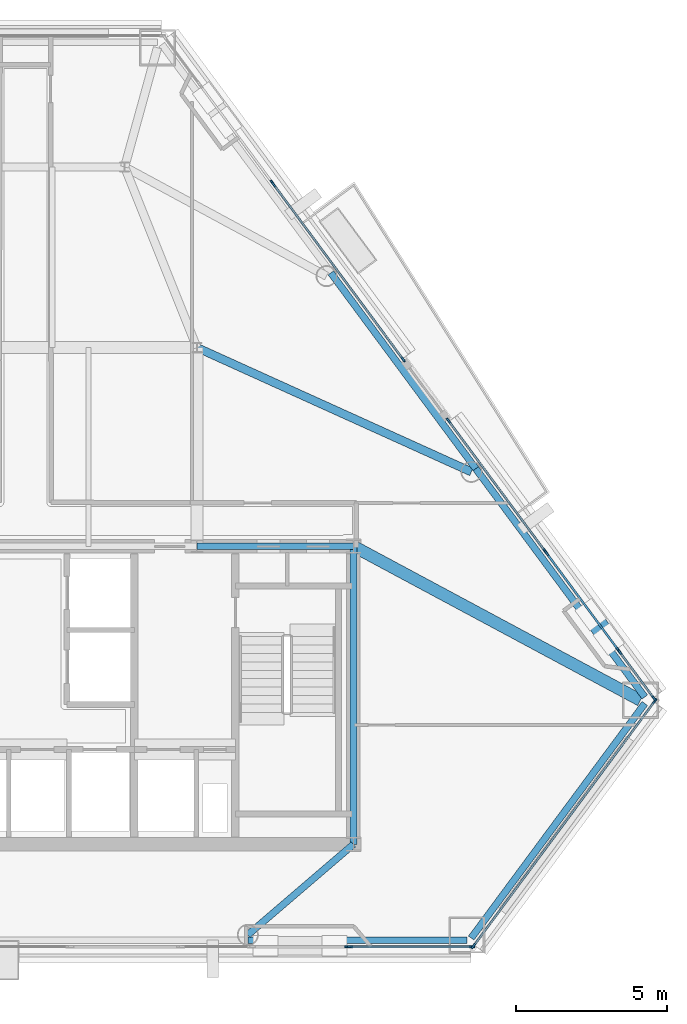
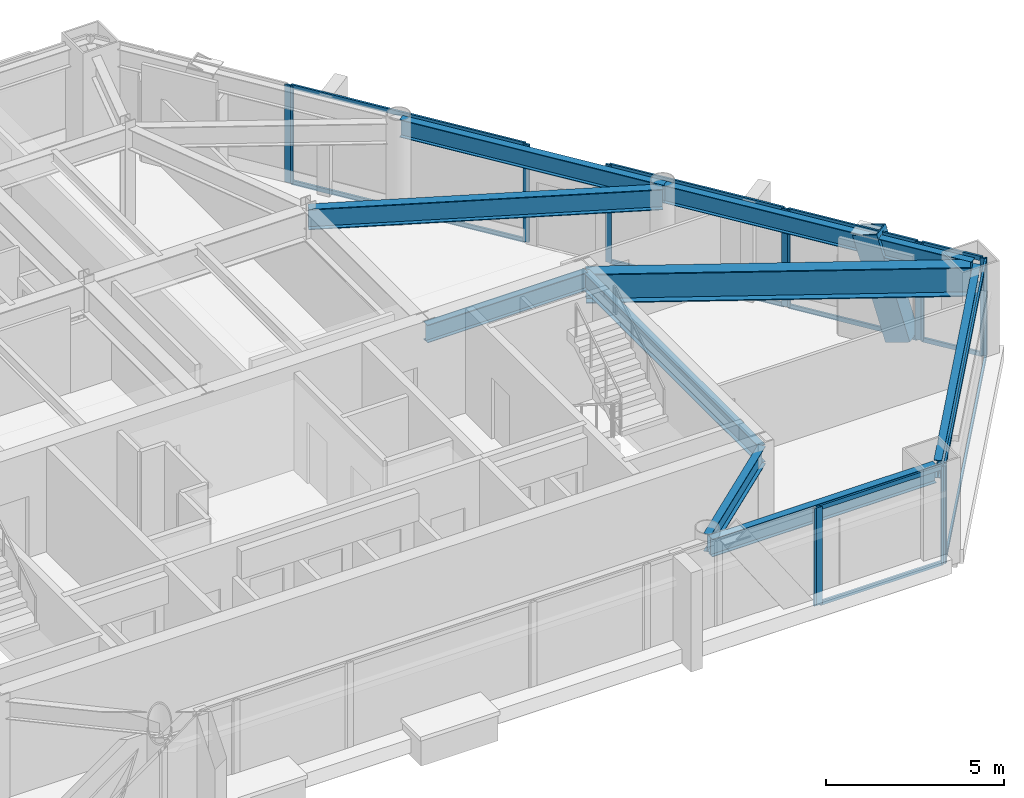
# One storey, part 6 of 13: 27 members, 9 beams, 8 elements without a shape of their own.
"""IFC4 building model written with IfcOpenShell, lengths in metres."""

from ifc_helpers import new_model, si_unit, direction, frame, origin, origin_2d, place, context, subcontext, project, spatial, rectangle, hollow_rectangle, i_section, extrude, material, layer, layer_set, material_profile, profile_set, type_object, element, aggregate, save


model = new_model("IFC4")

# Units and contexts
model_context = context("Model", 3, precision=1e-05, world=origin(), true_north=direction((0.0, 1.0)))
body_context = subcontext(model_context, "Body", "Model", "MODEL_VIEW")
ifc_project = project(units=[si_unit("LENGTHUNIT", "METRE"), si_unit("AREAUNIT", "SQUARE_METRE"), si_unit("VOLUMEUNIT", "CUBIC_METRE"), si_unit("PLANEANGLEUNIT", "RADIAN"), si_unit("MASSUNIT", "GRAM", prefix="KILO")], contexts=[model_context])

# Site, building, storey
site_placement = place(None, origin())
site = spatial("IfcSite", under=ifc_project, at=site_placement, CompositionType="ELEMENT")
building_placement = place(site_placement, origin())
building = spatial("IfcBuilding", under=site, at=building_placement, Name="Talgorran Terracotta Tower", CompositionType="ELEMENT")
storey_placement = place(building_placement, frame((0.0, 0.0, 99.60009765625)))
storey = spatial("IfcBuildingStorey", under=building, at=storey_placement, Name="L25", CompositionType="ELEMENT", Elevation=99.60009765625)

# Beams
ifc_material_1 = material(Name="Steel Grade 350 (350L0)", Category="steel")
ifc_material_profile_1 = material_profile(ifc_material_1, i_section(OverallWidth=0.39990234375, OverallDepth=1.0, WebThickness=0.01611328125, FlangeThickness=0.031005859375, at=origin_2d()), Name="1000WB296")
ifc_profile_set_1 = profile_set([ifc_material_profile_1], Name="Steel Grade 350 (350L0)")
beam_type_1 = type_object("IfcBeamType", Name="BM_1000WB296", PredefinedType="BEAM", material=ifc_profile_set_1)
beam_1_placement = place(storey_placement, frame((12.39990234375, -4.199951171875, 2.849853515625), z_axis=(0.88117219048, -0.472795485093, 0.0), x_axis=(0.472795485093, 0.88117219048, 0.0)))
element("IfcBeam", 1, at=beam_1_placement, inside=storey, type_object=beam_type_1, Name="L25 Floor Girder G18", PredefinedType="BEAM", context=body_context, shape_type="SweptSolid", body=[
    extrude(i_section(OverallWidth=0.39990234375, OverallDepth=1.0, WebThickness=0.01611328125, FlangeThickness=0.031005859375, at=origin_2d()), origin(), (0.0, 0.0, 1.0), 10.820068359375),
])
ifc_material_2 = material(Name="Steel S355 (300PLUS)", Category="steel")
ifc_material_profile_2 = material_profile(ifc_material_2, i_section(OverallWidth=0.27490234375, OverallDepth=0.7080078125, WebThickness=0.011962890625, FlangeThickness=0.02490234375, at=origin_2d()), Name="700WB173")
ifc_profile_set_2 = profile_set([ifc_material_profile_2], Name="Steel S355 (300PLUS)")
beam_type_2 = type_object("IfcBeamType", Name="BM_700WB173", PredefinedType="BEAM", material=ifc_profile_set_2)
beam_2_placement = place(storey_placement, frame((7.199951171875, 2.39990234375, 2.995849609375), z_axis=(0.910987725051, -0.412433467126, 0.0), x_axis=(0.412433467126, 0.910987725051, 0.0)))
element("IfcBeam", 2, at=beam_2_placement, inside=storey, type_object=beam_type_2, Name="L25 Floor Girder G07", PredefinedType="BEAM", context=body_context, shape_type="SweptSolid", body=[
    extrude(i_section(OverallWidth=0.27490234375, OverallDepth=0.7080078125, WebThickness=0.011962890625, FlangeThickness=0.02490234375, at=origin_2d()), origin(), (0.0, 0.0, 1.0), 10.010009765625),
])
ifc_material_profile_3 = material_profile(ifc_material_2, i_section(OverallWidth=0.22900390625, OverallDepth=0.611572265625, WebThickness=0.011962890625, FlangeThickness=0.01953125, at=origin_2d()), Name="610UB125")
ifc_profile_set_3 = profile_set([ifc_material_profile_3], Name="Steel S355 (300PLUS)")
beam_type_3 = type_object("IfcBeamType", Name="BM_SP_610UB125", PredefinedType="SPANDREL", material=ifc_profile_set_3)
beam_3_placement = place(storey_placement, frame((8.891845703125, -17.287841796875, 3.044189453125), z_axis=(1.0, 0.0, 0.0), x_axis=(0.0, 1.0, 0.0)))
element("IfcBeam", 3, at=beam_3_placement, inside=storey, type_object=beam_type_3, Name="L25 Perimeter Spandrel Beam FC2-MC3", PredefinedType="SPANDREL", context=body_context, shape_type="SweptSolid", body=[
    extrude(i_section(OverallWidth=0.22900390625, OverallDepth=0.611572265625, WebThickness=0.011962890625, FlangeThickness=0.01953125, at=origin_2d()), origin(), (0.0, 0.0, 1.0), 7.275146484375),
])
beam_4_placement = place(storey_placement, frame((16.311767578125, -17.21484375, 3.044189453125), z_axis=(0.594914928608, 0.803788671057, 0.0), x_axis=(-0.803788671057, 0.594914928608, 0.0)))
element("IfcBeam", 4, at=beam_4_placement, inside=storey, type_object=beam_type_3, Name="L25 Perimeter Spandrel Beam MC3-MC4", PredefinedType="SPANDREL", context=body_context, shape_type="SweptSolid", body=[
    extrude(i_section(OverallWidth=0.22900390625, OverallDepth=0.611572265625, WebThickness=0.011962890625, FlangeThickness=0.01953125, at=origin_2d()), origin(), (0.0, 0.0, 1.0), 9.6943359375),
])
beam_5_placement = place(storey_placement, frame((22.0791015625, -9.20849609375, 3.044189453125), z_axis=(-0.594926898508, 0.803779811535, 0.0), x_axis=(-0.803779811535, -0.594926898508, 0.0)))
element("IfcBeam", 5, at=beam_5_placement, inside=storey, type_object=beam_type_3, Name="L25 Perimeter Spandrel Beam MC4-FC3", PredefinedType="SPANDREL", context=body_context, shape_type="SweptSolid", body=[
    extrude(i_section(OverallWidth=0.22900390625, OverallDepth=0.611572265625, WebThickness=0.011962890625, FlangeThickness=0.01953125, at=origin_2d()), origin(), (0.0, 0.0, 1.0), 9.439453125),
])
beam_6_placement = place(storey_placement, frame((16.46337890625, -1.621337890625, 3.044189453125), z_axis=(-0.594899157913, 0.803800343316, 0.0), x_axis=(-0.803800343316, -0.594899157913, 0.0)))
element("IfcBeam", 6, at=beam_6_placement, inside=storey, type_object=beam_type_3, Name="L25 Perimeter Spandrel Beam FC3-FC4", PredefinedType="SPANDREL", context=body_context, shape_type="SweptSolid", body=[
    extrude(i_section(OverallWidth=0.22900390625, OverallDepth=0.611572265625, WebThickness=0.011962890625, FlangeThickness=0.01953125, at=origin_2d()), origin(), (0.0, 0.0, 1.0), 8.0908203125),
])
beam_7_placement = place(storey_placement, frame((12.39990234375, -14.10009765625, 3.044189453125), z_axis=(-0.759159629556, -0.650904491345, 0.0), x_axis=(0.650904491345, -0.759159629556, 0.0)))
element("IfcBeam", 7, at=beam_7_placement, inside=storey, type_object=beam_type_3, Name="L25 South-East Core Tie Beam", PredefinedType="SPANDREL", context=body_context, shape_type="SweptSolid", body=[
    extrude(i_section(OverallWidth=0.22900390625, OverallDepth=0.611572265625, WebThickness=0.011962890625, FlangeThickness=0.01953125, at=origin_2d()), origin(), (0.0, 0.0, 1.0), 4.62109375),
])
beam_8_placement = place(storey_placement, frame((12.39990234375, -14.10009765625, 3.044189453125), z_axis=(0.0, 1.0, 0.0), x_axis=(-1.0, 0.0, 0.0)))
element("IfcBeam", 8, at=beam_8_placement, inside=storey, type_object=beam_type_3, Name="L25 Core Frame Beam CFE", PredefinedType="SPANDREL", context=body_context, shape_type="SweptSolid", body=[
    extrude(i_section(OverallWidth=0.22900390625, OverallDepth=0.611572265625, WebThickness=0.011962890625, FlangeThickness=0.01953125, at=origin_2d()), origin(), (0.0, 0.0, 1.0), 9.900146484375),
])
beam_9_placement = place(storey_placement, frame((7.199951171875, -4.199951171875, 3.044189453125), z_axis=(1.0, 0.0, 0.0), x_axis=(0.0, 1.0, 0.0)))
element("IfcBeam", 9, at=beam_9_placement, inside=storey, type_object=beam_type_3, Name="L25 Core Frame Beam CFN4", PredefinedType="SPANDREL", context=body_context, shape_type="SweptSolid", body=[
    extrude(i_section(OverallWidth=0.22900390625, OverallDepth=0.611572265625, WebThickness=0.011962890625, FlangeThickness=0.01953125, at=origin_2d()), origin(), (0.0, 0.0, 1.0), 5.199951171875),
])

# Member
ifc_material_profile_4 = material_profile(ifc_material_1, hollow_rectangle(XDim=0.6201171875, YDim=0.780029296875, WallThickness=0.0419921875, at=origin_2d()), Name="WBOX780X620X42")
ifc_profile_set_4 = profile_set([ifc_material_profile_4], Name="Steel Grade 350 (350L0)")
member_type_1 = type_object("IfcMemberType", Name="MB_MEGA_780", PredefinedType="BRACE", material=ifc_profile_set_4)
member_1_placement = place(storey_placement, frame((20.881591796875, -7.2880859375, -0.025146484375), z_axis=(-0.170087742889, 0.229811108919, 0.958257279616), x_axis=(-0.803795867717, -0.594905205089, 0.0)))
element("IfcMember", 10, at=member_1_placement, inside=storey, type_object=member_type_1, Name="L25 Exterior Face Mega-Brace MB-2 (NEL)", PredefinedType="BRACE", context=body_context, shape_type="SweptSolid", body=[
    extrude(hollow_rectangle(XDim=0.6201171875, YDim=0.780029296875, WallThickness=0.0419921875, at=origin_2d()), origin(), (0.0, 0.0, 1.0), 3.54833984375),
])

# Curtain wall, member
ifc_material_3 = material(Name="Unitised Low-E Double Glazing", Category="glass")
ifc_layer = layer(ifc_material_3, 0.199951171875, Name="CW_SYS2_RES_LOW")
ifc_layer_set = layer_set([ifc_layer], Name="Unitised Low-E Double Glazing")
curtain_wall_type = type_object("IfcCurtainWallType", Name="CW_SYS2_RES_LOW", PredefinedType="NOTDEFINED", material=ifc_layer_set)
curtain_wall_1_placement = place(storey_placement, origin())
curtain_wall_1 = element("IfcCurtainWall", 11, at=curtain_wall_1_placement, inside=storey, type_object=curtain_wall_type, Name="CW-L25-F1H", PredefinedType="NOTDEFINED")
ifc_material_4 = material(Name="Architectural Aluminium 6063-T6", Category="aluminium")
ifc_material_profile_5 = material_profile(ifc_material_4, rectangle(XDim=0.06494140625, YDim=0.18505859375, at=origin_2d()), Name="CWM65X185")
ifc_profile_set_5 = profile_set([ifc_material_profile_5], Name="Architectural Aluminium 6063-T6")
member_type_2 = type_object("IfcMemberType", Name="MUL_65X185", PredefinedType="MULLION", material=ifc_profile_set_5)
member_2_placement = place(storey_placement, frame((12.206787109375, -17.5078125, 0.0), z_axis=(0.0, 0.0, 1.0), x_axis=(0.0, 1.0, 0.0)))
member_2 = element("IfcMember", 12, at=member_2_placement, type_object=member_type_2, Name="CW-L25-1H mullion 2", PredefinedType="MULLION", context=body_context, shape_type="SweptSolid", body=[
    extrude(rectangle(XDim=0.06494140625, YDim=0.18505859375, at=origin_2d()), origin(), (0.0, 0.0, 1.0), 3.349853515625),
])
aggregate(curtain_wall_1, [member_2])

# Curtain wall, members
curtain_wall_2_placement = place(storey_placement, origin())
curtain_wall_2 = element("IfcCurtainWall", 13, at=curtain_wall_2_placement, inside=storey, type_object=curtain_wall_type, Name="CW-L25-F1I", PredefinedType="NOTDEFINED")
member_3_placement = place(storey_placement, frame((12.281982421875, -17.5078125, 0.0), z_axis=(0.0, 0.0, 1.0), x_axis=(0.0, 1.0, 0.0)))
member_3 = element("IfcMember", 14, at=member_3_placement, type_object=member_type_2, Name="CW-L25-1I mullion 1", PredefinedType="MULLION", context=body_context, shape_type="SweptSolid", body=[
    extrude(rectangle(XDim=0.06494140625, YDim=0.18505859375, at=origin_2d()), origin(), (0.0, 0.0, 1.0), 3.349853515625),
])
member_4_placement = place(storey_placement, frame((16.336181640625, -17.5078125, 0.0), z_axis=(0.0, 0.0, 1.0), x_axis=(0.0, 1.0, 0.0)))
member_4 = element("IfcMember", 15, at=member_4_placement, type_object=member_type_2, Name="CW-L25-1I mullion 2", PredefinedType="MULLION", context=body_context, shape_type="SweptSolid", body=[
    extrude(rectangle(XDim=0.06494140625, YDim=0.18505859375, at=origin_2d()), origin(), (0.0, 0.0, 1.0), 3.349853515625),
])

curtain_wall_3_placement = place(storey_placement, origin())
curtain_wall_3 = element("IfcCurtainWall", 16, at=curtain_wall_3_placement, inside=storey, type_object=curtain_wall_type, Name="CW-L25-F2", PredefinedType="NOTDEFINED")
member_5_placement = place(storey_placement, frame((16.387939453125, -17.481689453125, 0.0), z_axis=(0.0, 0.0, 1.0), x_axis=(-0.803791602963, 0.594910967294, 0.0)))
member_5 = element("IfcMember", 17, at=member_5_placement, type_object=member_type_2, Name="CW-L25-2 mullion 1", PredefinedType="MULLION", context=body_context, shape_type="SweptSolid", body=[
    extrude(rectangle(XDim=0.06494140625, YDim=0.18505859375, at=origin_2d()), origin(), (0.0, 0.0, 1.0), 3.349853515625),
])
member_6_placement = place(storey_placement, frame((22.41259765625, -9.341796875, 0.0), z_axis=(0.0, 0.0, 1.0), x_axis=(-0.803791602963, 0.594910967294, 0.0)))
member_6 = element("IfcMember", 18, at=member_6_placement, type_object=member_type_2, Name="CW-L25-2 mullion 2", PredefinedType="MULLION", context=body_context, shape_type="SweptSolid", body=[
    extrude(rectangle(XDim=0.06494140625, YDim=0.18505859375, at=origin_2d()), origin(), (0.0, 0.0, 1.0), 3.349853515625),
])

curtain_wall_4_placement = place(storey_placement, origin())
curtain_wall_4 = element("IfcCurtainWall", 19, at=curtain_wall_4_placement, inside=storey, type_object=curtain_wall_type, Name="CW-L25-F40", PredefinedType="NOTDEFINED")
member_7_placement = place(storey_placement, frame((22.388671875, -9.25732421875, 0.0), z_axis=(0.0, 0.0, 1.0), x_axis=(-0.803795607852, -0.5949055562, 0.0)))
member_7 = element("IfcMember", 20, at=member_7_placement, type_object=member_type_2, Name="CW-L25-40 mullion 1", PredefinedType="MULLION", context=body_context, shape_type="SweptSolid", body=[
    extrude(rectangle(XDim=0.06494140625, YDim=0.18505859375, at=origin_2d()), origin(), (0.0, 0.0, 1.0), 3.349853515625),
])
member_8_placement = place(storey_placement, frame((21.24755859375, -7.71533203125, 0.0), z_axis=(0.0, 0.0, 1.0), x_axis=(-0.803795607852, -0.5949055562, 0.0)))
member_8 = element("IfcMember", 21, at=member_8_placement, type_object=member_type_2, Name="CW-L25-40 mullion 2", PredefinedType="MULLION", context=body_context, shape_type="SweptSolid", body=[
    extrude(rectangle(XDim=0.06494140625, YDim=0.18505859375, at=origin_2d()), origin(), (0.0, 0.0, 1.0), 3.349853515625),
])

curtain_wall_5_placement = place(storey_placement, origin())
curtain_wall_5 = element("IfcCurtainWall", 22, at=curtain_wall_5_placement, inside=storey, type_object=curtain_wall_type, Name="CW-L25-F40B", PredefinedType="NOTDEFINED")
member_9_placement = place(storey_placement, frame((21.202880859375, -7.655029296875, 0.0), z_axis=(0.0, 0.0, 1.0), x_axis=(-0.803791980442, -0.594910457276, 0.0)))
member_9 = element("IfcMember", 23, at=member_9_placement, type_object=member_type_2, Name="CW-L25-40B mullion 1", PredefinedType="MULLION", context=body_context, shape_type="SweptSolid", body=[
    extrude(rectangle(XDim=0.06494140625, YDim=0.18505859375, at=origin_2d()), origin(), (0.0, 0.0, 1.0), 3.349853515625),
])
member_10_placement = place(storey_placement, frame((18.81396484375, -4.42724609375, 0.0), z_axis=(0.0, 0.0, 1.0), x_axis=(-0.803791980442, -0.594910457276, 0.0)))
member_10 = element("IfcMember", 24, at=member_10_placement, type_object=member_type_2, Name="CW-L25-40B mullion 2", PredefinedType="MULLION", context=body_context, shape_type="SweptSolid", body=[
    extrude(rectangle(XDim=0.06494140625, YDim=0.18505859375, at=origin_2d()), origin(), (0.0, 0.0, 1.0), 3.349853515625),
])

curtain_wall_6_placement = place(storey_placement, origin())
curtain_wall_6 = element("IfcCurtainWall", 25, at=curtain_wall_6_placement, inside=storey, type_object=curtain_wall_type, Name="CW-L25-F40C", PredefinedType="NOTDEFINED")
member_11_placement = place(storey_placement, frame((18.769287109375, -4.366943359375, 0.0), z_axis=(0.0, 0.0, 1.0), x_axis=(-0.803795899139, -0.594905162634, 0.0)))
member_11 = element("IfcMember", 26, at=member_11_placement, type_object=member_type_2, Name="CW-L25-40C mullion 1", PredefinedType="MULLION", context=body_context, shape_type="SweptSolid", body=[
    extrude(rectangle(XDim=0.06494140625, YDim=0.18505859375, at=origin_2d()), origin(), (0.0, 0.0, 1.0), 3.349853515625),
])
member_12_placement = place(storey_placement, frame((15.554931640625, -0.02392578125, 0.0), z_axis=(0.0, 0.0, 1.0), x_axis=(-0.803795899139, -0.594905162634, 0.0)))
member_12 = element("IfcMember", 27, at=member_12_placement, type_object=member_type_2, Name="CW-L25-40C mullion 2", PredefinedType="MULLION", context=body_context, shape_type="SweptSolid", body=[
    extrude(rectangle(XDim=0.06494140625, YDim=0.18505859375, at=origin_2d()), origin(), (0.0, 0.0, 1.0), 3.349853515625),
])

curtain_wall_7_placement = place(storey_placement, origin())
curtain_wall_7 = element("IfcCurtainWall", 28, at=curtain_wall_7_placement, inside=storey, type_object=curtain_wall_type, Name="CW-L25-F41", PredefinedType="NOTDEFINED")
member_13_placement = place(storey_placement, frame((14.052978515625, 2.005615234375, 0.0), z_axis=(0.0, 0.0, 1.0), x_axis=(-0.803792510232, -0.59490974147, 0.0)))
member_13 = element("IfcMember", 29, at=member_13_placement, type_object=member_type_2, Name="CW-L25-41 mullion 1", PredefinedType="MULLION", context=body_context, shape_type="SweptSolid", body=[
    extrude(rectangle(XDim=0.06494140625, YDim=0.18505859375, at=origin_2d()), origin(), (0.0, 0.0, 1.0), 3.349853515625),
])
member_14_placement = place(storey_placement, frame((9.74853515625, 7.8212890625, 0.0), z_axis=(0.0, 0.0, 1.0), x_axis=(-0.803792510232, -0.59490974147, 0.0)))
member_14 = element("IfcMember", 30, at=member_14_placement, type_object=member_type_2, Name="CW-L25-41 mullion 2", PredefinedType="MULLION", context=body_context, shape_type="SweptSolid", body=[
    extrude(rectangle(XDim=0.06494140625, YDim=0.18505859375, at=origin_2d()), origin(), (0.0, 0.0, 1.0), 3.349853515625),
])

# Curtain wall, member
curtain_wall_8_placement = place(storey_placement, origin())
curtain_wall_8 = element("IfcCurtainWall", 31, at=curtain_wall_8_placement, inside=storey, type_object=curtain_wall_type, Name="CW-L25-F41B", PredefinedType="NOTDEFINED")
member_15_placement = place(storey_placement, frame((9.703857421875, 7.88134765625, 0.0), z_axis=(0.0, 0.0, 1.0), x_axis=(-0.803791980442, -0.594910457276, 0.0)))
member_15 = element("IfcMember", 32, at=member_15_placement, type_object=member_type_2, Name="CW-L25-41B mullion 1", PredefinedType="MULLION", context=body_context, shape_type="SweptSolid", body=[
    extrude(rectangle(XDim=0.06494140625, YDim=0.18505859375, at=origin_2d()), origin(), (0.0, 0.0, 1.0), 3.349853515625),
])
aggregate(curtain_wall_8, [member_15])

# Member
ifc_material_profile_6 = material_profile(ifc_material_4, rectangle(XDim=0.06494140625, YDim=0.14990234375, at=origin_2d()), Name="CWT65X150")
ifc_profile_set_6 = profile_set([ifc_material_profile_6], Name="Architectural Aluminium 6063-T6")
member_type_3 = type_object("IfcMemberType", Name="TRN_65X150", PredefinedType="USERDEFINED", material=ifc_profile_set_6)
member_16_placement = place(storey_placement, frame((12.314453125, -17.5078125, 0.032470703125), z_axis=(1.0, 0.0, 0.0), x_axis=(0.0, 1.0, 0.0)))
member_16 = element("IfcMember", 33, at=member_16_placement, type_object=member_type_3, Name="CW-L25-1I transom 1.1", ObjectType="TRANSOM", PredefinedType="USERDEFINED", context=body_context, shape_type="SweptSolid", body=[
    extrude(rectangle(XDim=0.06494140625, YDim=0.14990234375, at=origin_2d()), origin(), (0.0, 0.0, 1.0), 3.9892578125),
])

member_17_placement = place(storey_placement, frame((12.314453125, -17.5078125, 3.3173828125), z_axis=(1.0, 0.0, 0.0), x_axis=(0.0, 1.0, 0.0)))
member_17 = element("IfcMember", 34, at=member_17_placement, type_object=member_type_3, Name="CW-L25-1I transom 1.2", ObjectType="TRANSOM", PredefinedType="USERDEFINED", context=body_context, shape_type="SweptSolid", body=[
    extrude(rectangle(XDim=0.06494140625, YDim=0.14990234375, at=origin_2d()), origin(), (0.0, 0.0, 1.0), 3.9892578125),
])

aggregate(curtain_wall_2, [member_3, member_4, member_16, member_17])

member_18_placement = place(storey_placement, frame((16.4072265625, -17.45556640625, 0.032470703125), z_axis=(0.594921707511, 0.803783653686, 0.0), x_axis=(-0.803783653686, 0.594921707511, 0.0)))
member_18 = element("IfcMember", 35, at=member_18_placement, type_object=member_type_3, Name="CW-L25-2 transom 1.1", ObjectType="TRANSOM", PredefinedType="USERDEFINED", context=body_context, shape_type="SweptSolid", body=[
    extrude(rectangle(XDim=0.06494140625, YDim=0.14990234375, at=origin_2d()), origin(), (0.0, 0.0, 1.0), 10.06201171875),
])

member_19_placement = place(storey_placement, frame((16.4072265625, -17.45556640625, 3.3173828125), z_axis=(0.594921707511, 0.803783653686, 0.0), x_axis=(-0.803783653686, 0.594921707511, 0.0)))
member_19 = element("IfcMember", 36, at=member_19_placement, type_object=member_type_3, Name="CW-L25-2 transom 1.2", ObjectType="TRANSOM", PredefinedType="USERDEFINED", context=body_context, shape_type="SweptSolid", body=[
    extrude(rectangle(XDim=0.06494140625, YDim=0.14990234375, at=origin_2d()), origin(), (0.0, 0.0, 1.0), 10.06201171875),
])

aggregate(curtain_wall_3, [member_5, member_6, member_18, member_19])

member_20_placement = place(storey_placement, frame((22.369384765625, -9.231201171875, 0.032470703125), z_axis=(-0.59488726593, 0.803809144532, 0.0), x_axis=(-0.803809144532, -0.59488726593, 0.0)))
member_20 = element("IfcMember", 37, at=member_20_placement, type_object=member_type_3, Name="CW-L25-40 transom 1.1", ObjectType="TRANSOM", PredefinedType="USERDEFINED", context=body_context, shape_type="SweptSolid", body=[
    extrude(rectangle(XDim=0.06494140625, YDim=0.14990234375, at=origin_2d()), origin(), (0.0, 0.0, 1.0), 1.853271484375),
])

member_21_placement = place(storey_placement, frame((22.369384765625, -9.231201171875, 3.3173828125), z_axis=(-0.59488726593, 0.803809144532, 0.0), x_axis=(-0.803809144532, -0.59488726593, 0.0)))
member_21 = element("IfcMember", 38, at=member_21_placement, type_object=member_type_3, Name="CW-L25-40 transom 1.2", ObjectType="TRANSOM", PredefinedType="USERDEFINED", context=body_context, shape_type="SweptSolid", body=[
    extrude(rectangle(XDim=0.06494140625, YDim=0.14990234375, at=origin_2d()), origin(), (0.0, 0.0, 1.0), 1.853271484375),
])

aggregate(curtain_wall_4, [member_7, member_8, member_20, member_21])

member_22_placement = place(storey_placement, frame((21.18359375, -7.62890625, 0.032470703125), z_axis=(-0.594915676652, 0.8037881174, 0.0), x_axis=(-0.8037881174, -0.594915676652, 0.0)))
member_22 = element("IfcMember", 39, at=member_22_placement, type_object=member_type_3, Name="CW-L25-40B transom 1.1", ObjectType="TRANSOM", PredefinedType="USERDEFINED", context=body_context, shape_type="SweptSolid", body=[
    extrude(rectangle(XDim=0.06494140625, YDim=0.14990234375, at=origin_2d()), origin(), (0.0, 0.0, 1.0), 3.95068359375),
])

member_23_placement = place(storey_placement, frame((21.18359375, -7.62890625, 3.3173828125), z_axis=(-0.594915676652, 0.8037881174, 0.0), x_axis=(-0.8037881174, -0.594915676652, 0.0)))
member_23 = element("IfcMember", 40, at=member_23_placement, type_object=member_type_3, Name="CW-L25-40B transom 1.2", ObjectType="TRANSOM", PredefinedType="USERDEFINED", context=body_context, shape_type="SweptSolid", body=[
    extrude(rectangle(XDim=0.06494140625, YDim=0.14990234375, at=origin_2d()), origin(), (0.0, 0.0, 1.0), 3.95068359375),
])

aggregate(curtain_wall_5, [member_9, member_10, member_22, member_23])

member_24_placement = place(storey_placement, frame((18.75, -4.3408203125, 0.032470703125), z_axis=(-0.594887333729, 0.803809094356, 0.0), x_axis=(-0.803809094356, -0.594887333729, 0.0)))
member_24 = element("IfcMember", 41, at=member_24_placement, type_object=member_type_3, Name="CW-L25-40C transom 1.1", ObjectType="TRANSOM", PredefinedType="USERDEFINED", context=body_context, shape_type="SweptSolid", body=[
    extrude(rectangle(XDim=0.06494140625, YDim=0.14990234375, at=origin_2d()), origin(), (0.0, 0.0, 1.0), 5.338134765625),
])

member_25_placement = place(storey_placement, frame((18.75, -4.3408203125, 3.3173828125), z_axis=(-0.594887333729, 0.803809094356, 0.0), x_axis=(-0.803809094356, -0.594887333729, 0.0)))
member_25 = element("IfcMember", 42, at=member_25_placement, type_object=member_type_3, Name="CW-L25-40C transom 1.2", ObjectType="TRANSOM", PredefinedType="USERDEFINED", context=body_context, shape_type="SweptSolid", body=[
    extrude(rectangle(XDim=0.06494140625, YDim=0.14990234375, at=origin_2d()), origin(), (0.0, 0.0, 1.0), 5.338134765625),
])

aggregate(curtain_wall_6, [member_11, member_12, member_24, member_25])

member_26_placement = place(storey_placement, frame((14.033447265625, 2.03173828125, 0.032470703125), z_axis=(-0.594905047014, 0.803795984711, 0.0), x_axis=(-0.803795984711, -0.594905047014, 0.0)))
member_26 = element("IfcMember", 43, at=member_26_placement, type_object=member_type_3, Name="CW-L25-41 transom 1.1", ObjectType="TRANSOM", PredefinedType="USERDEFINED", context=body_context, shape_type="SweptSolid", body=[
    extrude(rectangle(XDim=0.06494140625, YDim=0.14990234375, at=origin_2d()), origin(), (0.0, 0.0, 1.0), 7.170166015625),
])

member_27_placement = place(storey_placement, frame((14.033447265625, 2.03173828125, 3.3173828125), z_axis=(-0.594905047014, 0.803795984711, 0.0), x_axis=(-0.803795984711, -0.594905047014, 0.0)))
member_27 = element("IfcMember", 44, at=member_27_placement, type_object=member_type_3, Name="CW-L25-41 transom 1.2", ObjectType="TRANSOM", PredefinedType="USERDEFINED", context=body_context, shape_type="SweptSolid", body=[
    extrude(rectangle(XDim=0.06494140625, YDim=0.14990234375, at=origin_2d()), origin(), (0.0, 0.0, 1.0), 7.170166015625),
])

aggregate(curtain_wall_7, [member_13, member_14, member_26, member_27])

save(model, "model.ifc")
